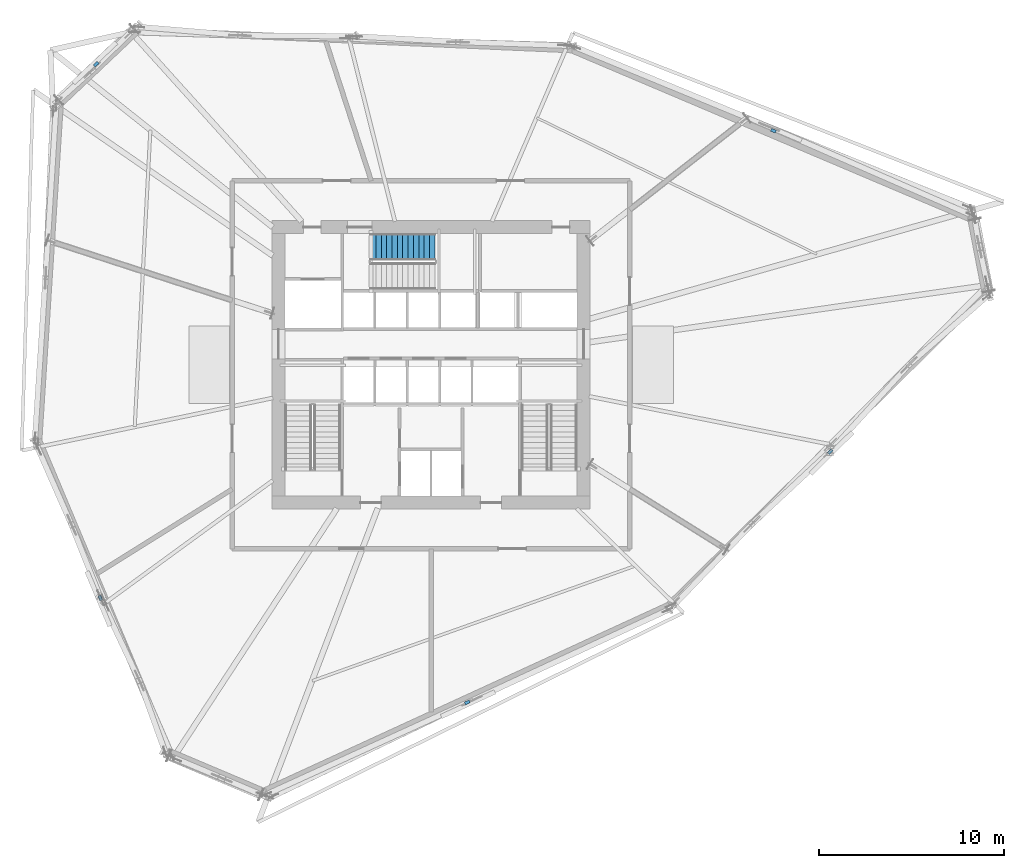
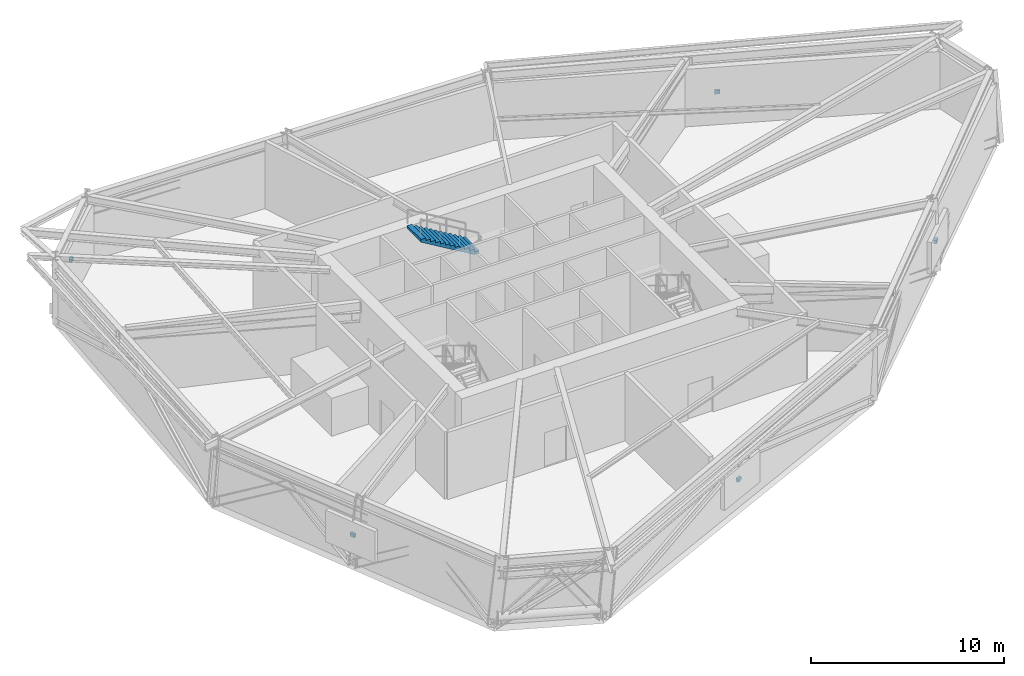
# One storey, part 11 of 15: 5 discrete accessories, 1 stair flight, 1 element without a shape of its own.
"""IFC4 building model written with IfcOpenShell, lengths in metres."""

from ifc_helpers import new_model, si_unit, direction, frame, origin, origin_2d, place, context, subcontext, project, spatial, polyline, rectangle, outline, extrude, source, transform, mapped, material, type_object, element, aggregate, save


model = new_model("IFC4")

# Units and contexts
model_context = context("Model", 3, precision=1e-05, world=origin(), true_north=direction((0.0, 1.0)))
body_context = subcontext(model_context, "Body", "Model", "MODEL_VIEW")
ifc_project = project(units=[si_unit("LENGTHUNIT", "METRE"), si_unit("AREAUNIT", "SQUARE_METRE"), si_unit("VOLUMEUNIT", "CUBIC_METRE"), si_unit("PLANEANGLEUNIT", "RADIAN"), si_unit("MASSUNIT", "GRAM", prefix="KILO")], contexts=[model_context])

# Site, building, storey
site_placement = place(None, origin())
site = spatial("IfcSite", under=ifc_project, at=site_placement, CompositionType="ELEMENT")
building_placement = place(site_placement, origin())
building = spatial("IfcBuilding", under=site, at=building_placement, Name="Olszyna Solenne Hotel", CompositionType="ELEMENT")
storey_placement = place(building_placement, frame((0.0, 0.0, 79.89990234375)))
storey = spatial("IfcBuildingStorey", under=building, at=storey_placement, Name="L20", CompositionType="ELEMENT", Elevation=79.89990234375)

# Stair, stair flight
ifc_material_1 = material(Name="Concrete C40/50", Category="concrete")
stair_type = type_object("IfcStairType", Name="STR-C1", PredefinedType="TWO_QUARTER_WINDING_STAIR", material=ifc_material_1)
stair_placement = place(storey_placement, origin())
stair = element("IfcStair", 1, at=stair_placement, inside=storey, type_object=stair_type, Name="L20 ST3", PredefinedType="TWO_QUARTER_WINDING_STAIR")
stair_flight_type = type_object("IfcStairFlightType", Name="FLT-C1", PredefinedType="STRAIGHT", material=ifc_material_1)
stair_flight_placement = place(storey_placement, frame((38.2099609375, 32.97509765625, 2.25), z_axis=(0.0, 0.0, 1.0), x_axis=(-1.0, 0.0, 0.0)))
stair_flight = element("IfcStairFlight", 2, at=stair_flight_placement, type_object=stair_flight_type, Name="ST3 flight 2", NumberOfRisers=13, NumberOfTreads=12, PredefinedType="STRAIGHT", RiserHeight=0.173076923, TreadLength=0.29, context=body_context, shape_type="SweptSolid", body=[
    extrude(outline(polyline([(0.0, 0.0), (0.0, 0.173095703125), (0.2900390625, 0.173095703125), (0.2900390625, 0.34619140625), (0.580078125, 0.34619140625), (0.580078125, 0.519287109375), (0.8701171875, 0.519287109375), (0.8701171875, 0.6923828125), (1.159912109375, 0.6923828125), (1.159912109375, 0.865478515625), (1.449951171875, 0.865478515625), (1.449951171875, 1.03857421875), (1.739990234375, 1.03857421875), (1.739990234375, 1.21142578125), (2.030029296875, 1.21142578125), (2.030029296875, 1.384521484375), (2.320068359375, 1.384521484375), (2.320068359375, 1.5576171875), (2.610107421875, 1.5576171875), (2.610107421875, 1.730712890625), (2.89990234375, 1.730712890625), (2.89990234375, 1.90380859375), (3.18994140625, 1.90380859375), (3.18994140625, 2.076904296875), (3.47998046875, 2.076904296875), (3.47998046875, 2.25), (3.47998046875, 1.90234375), (0.29248046875, 0.0), (0.0, 0.0)])), frame((0.0, 0.72509765625, 0.0), z_axis=(0.0, -1.0, 0.0), x_axis=(1.0, 0.0, 0.0)), (0.0, 0.0, 1.0), 1.449951171875),
])
aggregate(stair, [stair_flight])

# Discrete accessories
ifc_material_2 = material(Name="Steel S355J2", Category="steel")
discrete_accessory_type = type_object("IfcDiscreteAccessoryType", Name="BRK-01", PredefinedType="BRACKET", material=ifc_material_2)
shared_shape = source(origin(), body_context, "Body", "SweptSolid", [
    extrude(rectangle(XDim=0.280029296875, YDim=0.159912109375, at=origin_2d()), origin(), (0.0, 0.0, 1.0), 0.219970703125),
])
for number, where, z_axis, x_axis, name in (
    (3, (39.958984375, 8.348388671875, 1.7109375), (0.0, 0.0, 1.0), (-0.9086539853, -0.41754991917, 0.0), "Facade support bracket BRK-LV-L20-01"),
    (4, (20.1123046875, 13.998046875, 1.7109375), (0.0, 0.0, 1.0), (-0.386710961637, 0.92220097167, 0.0), "Facade support bracket BRK-LV-L20-03"),
    (5, (19.890869140625, 42.858154296875, 1.7109375), (0.0, 0.0, 1.0), (0.726574670971, 0.687087510804, 0.0), "Facade support bracket BRK-LV-L20-05"),
    (6, (56.5166015625, 39.259033203125, 1.7109375), (0.0, 0.0, 1.0), (0.920641188263, -0.390409787882, 0.0), "Facade support bracket BRK-LV-L20-07"),
    (7, (59.58447265625, 21.911865234375, 1.7109375), (0.0, 0.0, 1.0), (-0.711780904964, -0.70240155419, 0.0), "Facade support bracket BRK-LV-L20-09"),
):
    element("IfcDiscreteAccessory", number, at=place(storey_placement, frame(where, z_axis=z_axis, x_axis=x_axis)), inside=storey, type_object=discrete_accessory_type, Name=name, PredefinedType="BRACKET", context=body_context, shape_type="MappedRepresentation", body=[
        mapped(shared_shape, transform((0.0, 0.0, 0.0), x_axis=(1.0, 0.0, 0.0), y_axis=(0.0, 1.0, 0.0), z_axis=(0.0, 0.0, 1.0), scale=1.0)),
    ])

save(model, "model.ifc")
